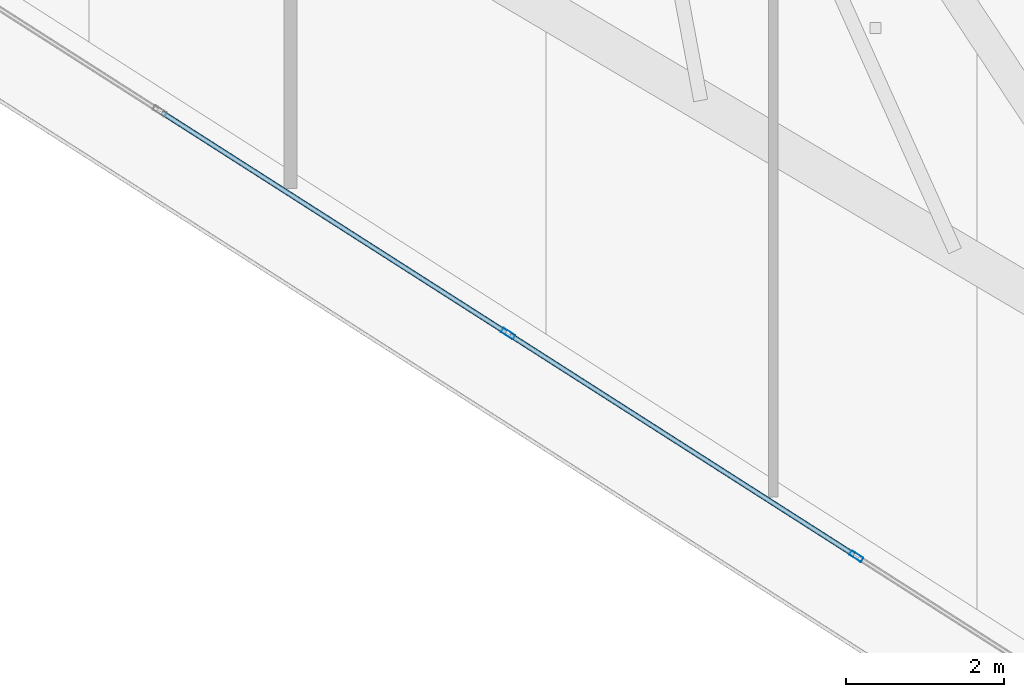
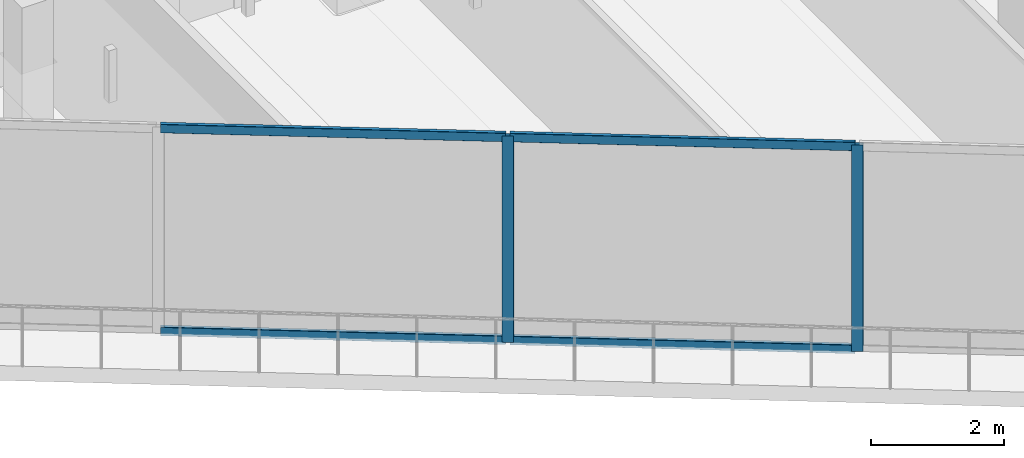
# One storey, part 3 of 33: 6 members, 1 element without a shape of its own.
"""IFC4 building model written with IfcOpenShell, lengths in metres."""

from ifc_helpers import new_model, si_unit, direction, frame, origin, origin_2d, place, context, subcontext, project, spatial, hollow_rectangle, extrude, material, layer, layer_set, material_profile, profile_set, type_object, element, aggregate, save


model = new_model("IFC4")

# Units and contexts
model_context = context("Model", 3, precision=1e-05, world=origin(), true_north=direction((0.0, 1.0)))
body_context = subcontext(model_context, "Body", "Model", "MODEL_VIEW")
ifc_project = project(units=[si_unit("LENGTHUNIT", "METRE"), si_unit("AREAUNIT", "SQUARE_METRE"), si_unit("VOLUMEUNIT", "CUBIC_METRE"), si_unit("PLANEANGLEUNIT", "RADIAN"), si_unit("MASSUNIT", "GRAM", prefix="KILO")], contexts=[model_context])

# Site, building, storey
site_placement = place(None, origin())
site = spatial("IfcSite", under=ifc_project, at=site_placement, CompositionType="ELEMENT")
building_placement = place(site_placement, origin())
building = spatial("IfcBuilding", under=site, at=building_placement, Name="Qorvath Tower", CompositionType="ELEMENT")
storey_placement = place(building_placement, frame((0.0, 0.0, 237.449951171875)))
storey = spatial("IfcBuildingStorey", under=building, at=storey_placement, Name="L55", CompositionType="ELEMENT", Elevation=237.449951171875)

# Curtain wall, members
ifc_material_1 = material(Name="Anodised aluminium and triple low-E glass", Category="aluminium")
ifc_layer = layer(ifc_material_1, 0.179931640625)
ifc_layer_set = layer_set([ifc_layer], Name="CW-SYS-3")
curtain_wall_type = type_object("IfcCurtainWallType", Name="CW-SYS-3", PredefinedType="NOTDEFINED", material=ifc_layer_set)
curtain_wall_placement = place(storey_placement, origin())
curtain_wall = element("IfcCurtainWall", 1, at=curtain_wall_placement, inside=storey, type_object=curtain_wall_type, Name="Curtain Wall CW-3 CW-T-L55-2.2", PredefinedType="NOTDEFINED")
ifc_material_2 = material(Name="Anodised aluminium 6063-T6", Category="aluminium")
ifc_material_profile_1 = material_profile(ifc_material_2, hollow_rectangle(XDim=0.06494140625, YDim=0.179931640625, WallThickness=0.00341796875, InnerFilletRadius=0.00341796875, OuterFilletRadius=0.007080078125, at=origin_2d()), Name="CWM 180x65")
ifc_profile_set_1 = profile_set([ifc_material_profile_1], Name="Anodised aluminium 6063-T6")
member_type_1 = type_object("IfcMemberType", Name="CWM-180", PredefinedType="MULLION", material=ifc_profile_set_1)
member_1_placement = place(storey_placement, frame((-26.10009765625, -20.5771484375, 0.0), z_axis=(0.0, 0.0, 1.0), x_axis=(0.53852851579, 0.842607285561, 0.0)))
member_1 = element("IfcMember", 2, at=member_1_placement, type_object=member_type_1, Name="CW-3 mullion 6", PredefinedType="MULLION", context=body_context, shape_type="SweptSolid", body=[
    extrude(hollow_rectangle(XDim=0.06494140625, YDim=0.179931640625, WallThickness=0.00341796875, InnerFilletRadius=0.00341796875, OuterFilletRadius=0.007080078125, at=origin_2d()), origin(), (0.0, 0.0, 1.0), 3.780029296875),
])
member_2_placement = place(storey_placement, frame((-21.678466796875, -23.4033203125, 0.0), z_axis=(0.0, 0.0, 1.0), x_axis=(0.53852851579, 0.842607285561, 0.0)))
member_2 = element("IfcMember", 3, at=member_2_placement, type_object=member_type_1, Name="CW-3 mullion 7", PredefinedType="MULLION", context=body_context, shape_type="SweptSolid", body=[
    extrude(hollow_rectangle(XDim=0.06494140625, YDim=0.179931640625, WallThickness=0.00341796875, InnerFilletRadius=0.00341796875, OuterFilletRadius=0.007080078125, at=origin_2d()), origin(), (0.0, 0.0, 1.0), 3.780029296875),
])
ifc_material_3 = material(Name="Anodised aluminium 6063-T6", Category="aluminium")
ifc_material_profile_2 = material_profile(ifc_material_3, hollow_rectangle(XDim=0.06494140625, YDim=0.159912109375, WallThickness=0.00341796875, InnerFilletRadius=0.00341796875, OuterFilletRadius=0.007080078125, at=origin_2d()), Name="CWT 160x65")
ifc_profile_set_2 = profile_set([ifc_material_profile_2], Name="Anodised aluminium 6063-T6")
member_type_2 = type_object("IfcMemberType", Name="CWT-160", PredefinedType="USERDEFINED", material=ifc_profile_set_2)
member_3_placement = place(storey_placement, frame((-30.494384765625, -17.768798828125, 0.032470703125), z_axis=(0.842606602471, -0.538529584584, 0.0), x_axis=(0.538529584584, 0.842606602471, 0.0)))
member_3 = element("IfcMember", 4, at=member_3_placement, type_object=member_type_2, Name="CW-3 transom 5.1", ObjectType="TRANSOM", PredefinedType="USERDEFINED", context=body_context, shape_type="SweptSolid", body=[
    extrude(hollow_rectangle(XDim=0.06494140625, YDim=0.159912109375, WallThickness=0.00341796875, InnerFilletRadius=0.00341796875, OuterFilletRadius=0.007080078125, at=origin_2d()), origin(), (0.0, 0.0, 1.0), 5.1826171875),
])
member_4_placement = place(storey_placement, frame((-30.494384765625, -17.768798828125, 3.74755859375), z_axis=(0.842606602471, -0.538529584584, 0.0), x_axis=(0.538529584584, 0.842606602471, 0.0)))
member_4 = element("IfcMember", 5, at=member_4_placement, type_object=member_type_2, Name="CW-3 transom 5.2", ObjectType="TRANSOM", PredefinedType="USERDEFINED", context=body_context, shape_type="SweptSolid", body=[
    extrude(hollow_rectangle(XDim=0.06494140625, YDim=0.159912109375, WallThickness=0.00341796875, InnerFilletRadius=0.00341796875, OuterFilletRadius=0.007080078125, at=origin_2d()), origin(), (0.0, 0.0, 1.0), 5.1826171875),
])
member_5_placement = place(storey_placement, frame((-26.07275390625, -20.5947265625, 0.032470703125), z_axis=(0.842606602471, -0.538529584584, 0.0), x_axis=(0.538529584584, 0.842606602471, 0.0)))
member_5 = element("IfcMember", 6, at=member_5_placement, type_object=member_type_2, Name="CW-3 transom 6.1", ObjectType="TRANSOM", PredefinedType="USERDEFINED", context=body_context, shape_type="SweptSolid", body=[
    extrude(hollow_rectangle(XDim=0.06494140625, YDim=0.159912109375, WallThickness=0.00341796875, InnerFilletRadius=0.00341796875, OuterFilletRadius=0.007080078125, at=origin_2d()), origin(), (0.0, 0.0, 1.0), 5.1826171875),
])
member_6_placement = place(storey_placement, frame((-26.07275390625, -20.5947265625, 3.74755859375), z_axis=(0.842606602471, -0.538529584584, 0.0), x_axis=(0.538529584584, 0.842606602471, 0.0)))
member_6 = element("IfcMember", 7, at=member_6_placement, type_object=member_type_2, Name="CW-3 transom 6.2", ObjectType="TRANSOM", PredefinedType="USERDEFINED", context=body_context, shape_type="SweptSolid", body=[
    extrude(hollow_rectangle(XDim=0.06494140625, YDim=0.159912109375, WallThickness=0.00341796875, InnerFilletRadius=0.00341796875, OuterFilletRadius=0.007080078125, at=origin_2d()), origin(), (0.0, 0.0, 1.0), 5.1826171875),
])
aggregate(curtain_wall, [member_1, member_2, member_3, member_4, member_5, member_6])

save(model, "model.ifc")
